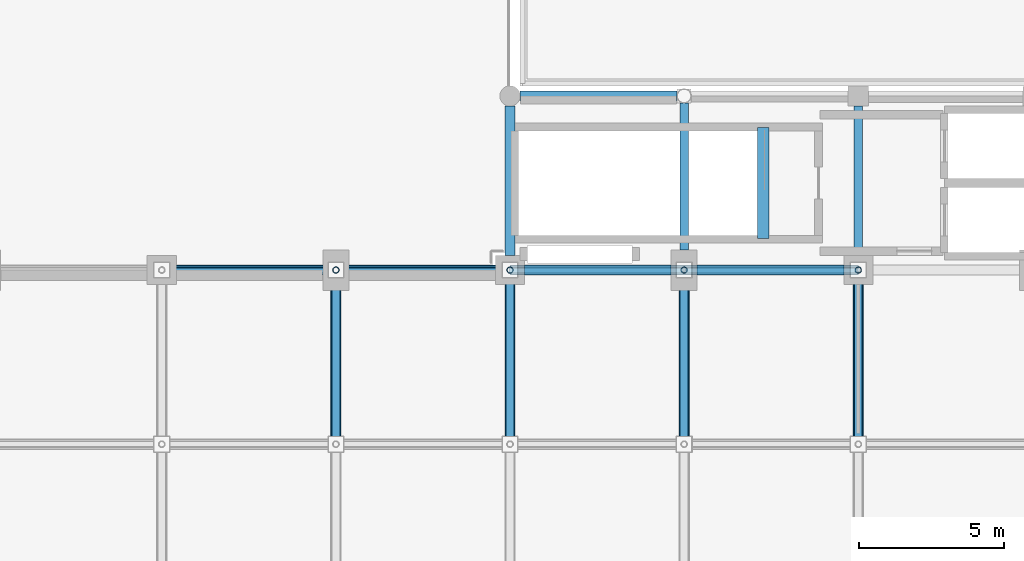
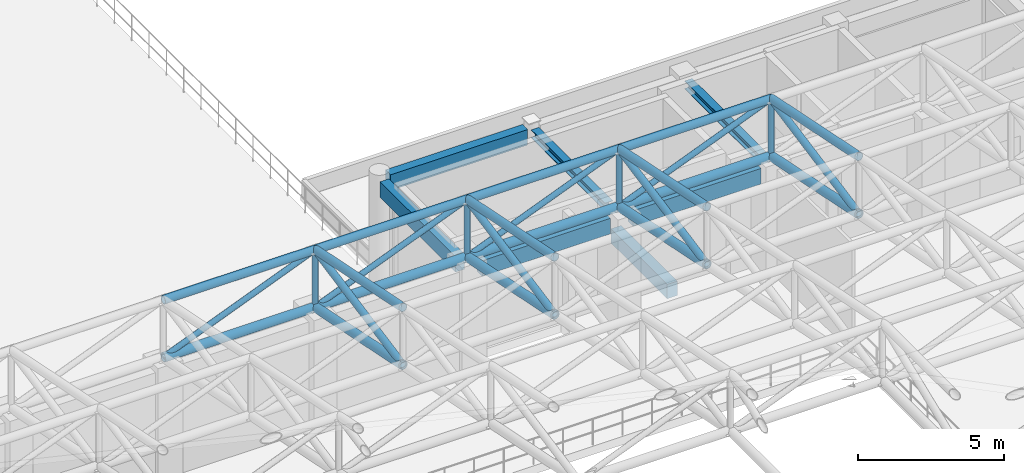
# One storey, part 34 of 112: 28 members, 7 beams.
"""IFC4 building model written with IfcOpenShell, lengths in metres."""

from ifc_helpers import new_model, si_unit, direction, frame, origin, origin_2d, place, context, subcontext, project, spatial, rectangle, hollow_circle, i_section, extrude, material, material_profile, profile_set, type_object, element, save


model = new_model("IFC4")

# Units and contexts
model_context = context("Model", 3, precision=1e-05, world=origin(), true_north=direction((0.0, 1.0)))
body_context = subcontext(model_context, "Body", "Model", "MODEL_VIEW")
ifc_project = project(units=[si_unit("LENGTHUNIT", "METRE"), si_unit("AREAUNIT", "SQUARE_METRE"), si_unit("VOLUMEUNIT", "CUBIC_METRE"), si_unit("PLANEANGLEUNIT", "RADIAN"), si_unit("MASSUNIT", "GRAM", prefix="KILO"), si_unit("THERMODYNAMICTEMPERATUREUNIT", "KELVIN"), si_unit("POWERUNIT", "WATT")], contexts=[model_context])

# Site, building, storey
site_placement = place(None, origin())
site = spatial("IfcSite", under=ifc_project, at=site_placement, CompositionType="ELEMENT")
building_placement = place(site_placement, origin())
building = spatial("IfcBuilding", under=site, at=building_placement, Name="Phaisarnlok Congress Hotel", CompositionType="ELEMENT")
storey_placement = place(building_placement, frame((0.0, 0.0, 19.800048828125)))
storey = spatial("IfcBuildingStorey", under=building, at=storey_placement, Name="L04", CompositionType="ELEMENT", Elevation=19.800048828125)

# Beams
ifc_material_1 = material(Name="Concrete C40/50", Category="concrete")
ifc_material_profile_1 = material_profile(ifc_material_1, rectangle(XDim=0.39990234375, YDim=0.60009765625, at=origin_2d()), Name="RC 400x600")
ifc_profile_set_1 = profile_set([ifc_material_profile_1], Name="Concrete C40/50")
beam_type_1 = type_object("IfcBeamType", Name="BM-RC-400x600", PredefinedType="BEAM", material=ifc_profile_set_1)
beam_1_placement = place(storey_placement, frame((50.719970703125, 85.080078125, -0.300048828125), z_axis=(0.0, 1.0, 0.0), x_axis=(-1.0, 0.0, 0.0)))
element("IfcBeam", 1, at=beam_1_placement, inside=storey, type_object=beam_type_1, Name="Stair landing header beam B-02 (CORE-5 L04)", PredefinedType="BEAM", context=body_context, shape_type="SweptSolid", body=[
    extrude(rectangle(XDim=0.39990234375, YDim=0.60009765625, at=origin_2d()), origin(), (0.0, 0.0, 1.0), 3.83984375),
])
ifc_material_2 = material(Name="Steel S355", Category="steel")
ifc_material_profile_2 = material_profile(ifc_material_2, i_section(OverallWidth=0.300048828125, OverallDepth=0.340087890625, WebThickness=0.011962890625, FlangeThickness=0.021484375, FilletRadius=0.027099609375, at=origin_2d()), Name="HEB 340")
ifc_profile_set_2 = profile_set([ifc_material_profile_2], Name="Steel S355")
beam_type_2 = type_object("IfcBeamType", Name="BM-STL-HEB340", PredefinedType="BEAM", material=ifc_profile_set_2)
beam_2_placement = place(storey_placement, frame((48.0, 84.695068359375, 4.389892578125), z_axis=(0.0, 1.0, 0.0), x_axis=(-1.0, 0.0, 0.0)))
element("IfcBeam", 2, at=beam_2_placement, inside=storey, type_object=beam_type_2, Name="Beam SB-07", PredefinedType="BEAM", context=body_context, shape_type="SweptSolid", body=[
    extrude(i_section(OverallWidth=0.300048828125, OverallDepth=0.340087890625, WebThickness=0.011962890625, FlangeThickness=0.021484375, FilletRadius=0.027099609375, at=origin_2d()), origin(), (0.0, 0.0, 1.0), 5.055908203125),
])
beam_3_placement = place(storey_placement, frame((54.0, 84.4951171875, 4.389892578125), z_axis=(0.0, 1.0, 0.0), x_axis=(-1.0, 0.0, 0.0)))
element("IfcBeam", 3, at=beam_3_placement, inside=storey, type_object=beam_type_2, Name="Beam SB-07", PredefinedType="BEAM", context=body_context, shape_type="SweptSolid", body=[
    extrude(i_section(OverallWidth=0.300048828125, OverallDepth=0.340087890625, WebThickness=0.011962890625, FlangeThickness=0.021484375, FilletRadius=0.027099609375, at=origin_2d()), origin(), (0.0, 0.0, 1.0), 5.159912109375),
])

# Members
ifc_material_profile_3 = material_profile(ifc_material_2, hollow_circle(Radius=0.109619140625, WallThickness=0.012451171875, at=origin_2d()), Name="CHS 219.1x12.5")
ifc_profile_set_3 = profile_set([ifc_material_profile_3], Name="Steel S355")
member_type_1 = type_object("IfcMemberType", Name="MEM-BRC-CHS219", PredefinedType="BRACE", material=ifc_profile_set_3)
member_1_placement = place(storey_placement, frame((30.0, 84.0, 4.800048828125), z_axis=(0.928481901832, 0.0, 0.371377648723), x_axis=(0.0, 1.0, 0.0)))
element("IfcMember", 4, at=member_1_placement, inside=storey, type_object=member_type_1, Name="Congress Hall space frame web diagonal TB-02", PredefinedType="BRACE", context=body_context, shape_type="SweptSolid", body=[
    extrude(hollow_circle(Radius=0.109619140625, WallThickness=0.012451171875, at=origin_2d()), origin(), (0.0, 0.0, 1.0), 6.462158203125),
])
member_2_placement = place(storey_placement, frame((36.0, 84.0, 4.800048828125), z_axis=(0.0, 0.0, 1.0), x_axis=(1.0, 0.0, 0.0)))
element("IfcMember", 5, at=member_2_placement, inside=storey, type_object=member_type_1, Name="Congress Hall space frame vertical brace TB-02", PredefinedType="BRACE", context=body_context, shape_type="SweptSolid", body=[
    extrude(hollow_circle(Radius=0.109619140625, WallThickness=0.012451171875, at=origin_2d()), origin(), (0.0, 0.0, 1.0), 2.39990234375),
])
member_3_placement = place(storey_placement, frame((36.0, 84.0, 4.800048828125), z_axis=(0.928481901832, 0.0, 0.371377648723), x_axis=(0.0, 1.0, 0.0)))
element("IfcMember", 6, at=member_3_placement, inside=storey, type_object=member_type_1, Name="Congress Hall space frame web diagonal TB-02", PredefinedType="BRACE", context=body_context, shape_type="SweptSolid", body=[
    extrude(hollow_circle(Radius=0.109619140625, WallThickness=0.012451171875, at=origin_2d()), origin(), (0.0, 0.0, 1.0), 6.462158203125),
])
member_4_placement = place(storey_placement, frame((42.0, 84.0, 4.800048828125), z_axis=(0.0, 0.0, 1.0), x_axis=(1.0, 0.0, 0.0)))
element("IfcMember", 7, at=member_4_placement, inside=storey, type_object=member_type_1, Name="Congress Hall space frame vertical brace TB-02", PredefinedType="BRACE", context=body_context, shape_type="SweptSolid", body=[
    extrude(hollow_circle(Radius=0.109619140625, WallThickness=0.012451171875, at=origin_2d()), origin(), (0.0, 0.0, 1.0), 2.39990234375),
])
member_5_placement = place(storey_placement, frame((42.0, 84.0, 4.800048828125), z_axis=(0.928481901832, 0.0, 0.371377648723), x_axis=(0.0, 1.0, 0.0)))
element("IfcMember", 8, at=member_5_placement, inside=storey, type_object=member_type_1, Name="Congress Hall space frame web diagonal TB-02", PredefinedType="BRACE", context=body_context, shape_type="SweptSolid", body=[
    extrude(hollow_circle(Radius=0.109619140625, WallThickness=0.012451171875, at=origin_2d()), origin(), (0.0, 0.0, 1.0), 6.462158203125),
])
member_6_placement = place(storey_placement, frame((48.0, 84.0, 4.800048828125), z_axis=(0.0, 0.0, 1.0), x_axis=(1.0, 0.0, 0.0)))
element("IfcMember", 9, at=member_6_placement, inside=storey, type_object=member_type_1, Name="Congress Hall space frame vertical brace TB-02", PredefinedType="BRACE", context=body_context, shape_type="SweptSolid", body=[
    extrude(hollow_circle(Radius=0.109619140625, WallThickness=0.012451171875, at=origin_2d()), origin(), (0.0, 0.0, 1.0), 2.39990234375),
])
member_7_placement = place(storey_placement, frame((48.0, 84.0, 4.800048828125), z_axis=(0.928481901832, 0.0, 0.371377648723), x_axis=(0.0, 1.0, 0.0)))
element("IfcMember", 10, at=member_7_placement, inside=storey, type_object=member_type_1, Name="Congress Hall space frame web diagonal TB-02", PredefinedType="BRACE", context=body_context, shape_type="SweptSolid", body=[
    extrude(hollow_circle(Radius=0.109619140625, WallThickness=0.012451171875, at=origin_2d()), origin(), (0.0, 0.0, 1.0), 6.462158203125),
])
member_8_placement = place(storey_placement, frame((54.0, 84.0, 4.800048828125), z_axis=(0.0, 0.0, 1.0), x_axis=(1.0, 0.0, 0.0)))
element("IfcMember", 11, at=member_8_placement, inside=storey, type_object=member_type_1, Name="Congress Hall space frame vertical brace TB-02", PredefinedType="BRACE", context=body_context, shape_type="SweptSolid", body=[
    extrude(hollow_circle(Radius=0.109619140625, WallThickness=0.012451171875, at=origin_2d()), origin(), (0.0, 0.0, 1.0), 2.39990234375),
])
ifc_material_profile_4 = material_profile(ifc_material_2, hollow_circle(Radius=0.136474609375, WallThickness=0.01611328125, at=origin_2d()), Name="CHS 273x16")
ifc_profile_set_4 = profile_set([ifc_material_profile_4], Name="Steel S355")
member_type_2 = type_object("IfcMemberType", Name="MEM-BRC-CHS273", PredefinedType="BRACE", material=ifc_profile_set_4)
for number, where, z_axis, x_axis, name in (
    (12, (36.0, 78.0, 6.020751953125), (0.0, 0.981229397887, 0.192844156567), (-1.0, 0.0, 0.0), "Congress Hall space frame raking brace TB-03"),
    (13, (42.0, 78.0, 6.020751953125), (0.0, 0.981229397887, 0.192844156567), (-1.0, 0.0, 0.0), "Congress Hall space frame raking brace TB-03"),
    (14, (48.0, 78.0, 6.020751953125), (0.0, 0.981229397887, 0.192844156567), (-1.0, 0.0, 0.0), "Congress Hall space frame raking brace TB-03"),
    (15, (54.0, 78.0, 6.020751953125), (0.0, 0.981229397887, 0.192844156567), (-1.0, 0.0, 0.0), "Congress Hall space frame raking brace TB-03"),
):
    element("IfcMember", number, at=place(storey_placement, frame(where, z_axis=z_axis, x_axis=x_axis)), inside=storey, type_object=member_type_2, Name=name, PredefinedType="BRACE", context=body_context, shape_type="SweptSolid", body=[
        extrude(hollow_circle(Radius=0.136474609375, WallThickness=0.01611328125, at=origin_2d()), origin(), (0.0, 0.0, 1.0), 6.11474609375),
    ])
ifc_material_profile_5 = material_profile(ifc_material_2, hollow_circle(Radius=0.161865234375, WallThickness=0.01611328125, at=origin_2d()), Name="CHS 323.9x16")
ifc_profile_set_5 = profile_set([ifc_material_profile_5], Name="Steel S355")
member_type_3 = type_object("IfcMemberType", Name="MEM-CHD-CHS324", PredefinedType="CHORD", material=ifc_profile_set_5)
member_9_placement = place(storey_placement, frame((30.0, 84.0, 7.199951171875), z_axis=(1.0, 0.0, 0.0), x_axis=(0.0, 1.0, 0.0)))
element("IfcMember", 16, at=member_9_placement, inside=storey, type_object=member_type_3, Name="Congress Hall space frame top chord TC-02", PredefinedType="CHORD", context=body_context, shape_type="SweptSolid", body=[
    extrude(hollow_circle(Radius=0.161865234375, WallThickness=0.01611328125, at=origin_2d()), origin(), (0.0, 0.0, 1.0), 6.0),
])
member_10_placement = place(storey_placement, frame((36.0, 78.0, 8.420654296875), z_axis=(0.0, 0.979925045119, -0.199366260807), x_axis=(-1.0, 0.0, 0.0)))
element("IfcMember", 17, at=member_10_placement, inside=storey, type_object=member_type_3, Name="Congress Hall space frame top chord TC-02", PredefinedType="CHORD", context=body_context, shape_type="SweptSolid", body=[
    extrude(hollow_circle(Radius=0.161865234375, WallThickness=0.01611328125, at=origin_2d()), origin(), (0.0, 0.0, 1.0), 6.122802734375),
])
member_11_placement = place(storey_placement, frame((36.0, 84.0, 7.199951171875), z_axis=(1.0, 0.0, 0.0), x_axis=(0.0, 1.0, 0.0)))
element("IfcMember", 18, at=member_11_placement, inside=storey, type_object=member_type_3, Name="Congress Hall space frame top chord TC-02", PredefinedType="CHORD", context=body_context, shape_type="SweptSolid", body=[
    extrude(hollow_circle(Radius=0.161865234375, WallThickness=0.01611328125, at=origin_2d()), origin(), (0.0, 0.0, 1.0), 6.0),
])
member_12_placement = place(storey_placement, frame((42.0, 78.0, 8.420654296875), z_axis=(0.0, 0.979925045119, -0.199366260807), x_axis=(-1.0, 0.0, 0.0)))
element("IfcMember", 19, at=member_12_placement, inside=storey, type_object=member_type_3, Name="Congress Hall space frame top chord TC-02", PredefinedType="CHORD", context=body_context, shape_type="SweptSolid", body=[
    extrude(hollow_circle(Radius=0.161865234375, WallThickness=0.01611328125, at=origin_2d()), origin(), (0.0, 0.0, 1.0), 6.122802734375),
])
member_13_placement = place(storey_placement, frame((42.0, 84.0, 7.199951171875), z_axis=(1.0, 0.0, 0.0), x_axis=(0.0, 1.0, 0.0)))
element("IfcMember", 20, at=member_13_placement, inside=storey, type_object=member_type_3, Name="Congress Hall space frame top chord TC-02", PredefinedType="CHORD", context=body_context, shape_type="SweptSolid", body=[
    extrude(hollow_circle(Radius=0.161865234375, WallThickness=0.01611328125, at=origin_2d()), origin(), (0.0, 0.0, 1.0), 6.0),
])
member_14_placement = place(storey_placement, frame((48.0, 78.0, 8.420654296875), z_axis=(0.0, 0.979925045119, -0.199366260807), x_axis=(-1.0, 0.0, 0.0)))
element("IfcMember", 21, at=member_14_placement, inside=storey, type_object=member_type_3, Name="Congress Hall space frame top chord TC-02", PredefinedType="CHORD", context=body_context, shape_type="SweptSolid", body=[
    extrude(hollow_circle(Radius=0.161865234375, WallThickness=0.01611328125, at=origin_2d()), origin(), (0.0, 0.0, 1.0), 6.122802734375),
])
member_15_placement = place(storey_placement, frame((48.0, 84.0, 7.199951171875), z_axis=(1.0, 0.0, 0.0), x_axis=(0.0, 1.0, 0.0)))
element("IfcMember", 22, at=member_15_placement, inside=storey, type_object=member_type_3, Name="Congress Hall space frame top chord TC-02", PredefinedType="CHORD", context=body_context, shape_type="SweptSolid", body=[
    extrude(hollow_circle(Radius=0.161865234375, WallThickness=0.01611328125, at=origin_2d()), origin(), (0.0, 0.0, 1.0), 6.0),
])
member_16_placement = place(storey_placement, frame((54.0, 78.0, 8.420654296875), z_axis=(0.0, 0.979925045119, -0.199366260807), x_axis=(-1.0, 0.0, 0.0)))
element("IfcMember", 23, at=member_16_placement, inside=storey, type_object=member_type_3, Name="Congress Hall space frame top chord TC-02", PredefinedType="CHORD", context=body_context, shape_type="SweptSolid", body=[
    extrude(hollow_circle(Radius=0.161865234375, WallThickness=0.01611328125, at=origin_2d()), origin(), (0.0, 0.0, 1.0), 6.122802734375),
])
ifc_material_profile_6 = material_profile(ifc_material_2, hollow_circle(Radius=0.177734375, WallThickness=0.02001953125, at=origin_2d()), Name="CHS 355.6x20")
ifc_profile_set_6 = profile_set([ifc_material_profile_6], Name="Steel S355")
member_type_4 = type_object("IfcMemberType", Name="MEM-CHD-CHS356", PredefinedType="CHORD", material=ifc_profile_set_6)
member_17_placement = place(storey_placement, frame((30.0, 84.0, 4.800048828125), z_axis=(1.0, 0.0, 0.0), x_axis=(0.0, 1.0, 0.0)))
element("IfcMember", 24, at=member_17_placement, inside=storey, type_object=member_type_4, Name="Congress Hall space frame bottom chord TC-01", PredefinedType="CHORD", context=body_context, shape_type="SweptSolid", body=[
    extrude(hollow_circle(Radius=0.177734375, WallThickness=0.02001953125, at=origin_2d()), origin(), (0.0, 0.0, 1.0), 6.0),
])
member_18_placement = place(storey_placement, frame((36.0, 78.0, 6.020751953125), z_axis=(0.0, 0.979925045119, -0.199366260807), x_axis=(-1.0, 0.0, 0.0)))
element("IfcMember", 25, at=member_18_placement, inside=storey, type_object=member_type_4, Name="Congress Hall space frame bottom chord TC-01", PredefinedType="CHORD", context=body_context, shape_type="SweptSolid", body=[
    extrude(hollow_circle(Radius=0.177734375, WallThickness=0.02001953125, at=origin_2d()), origin(), (0.0, 0.0, 1.0), 6.122802734375),
])
member_19_placement = place(storey_placement, frame((36.0, 84.0, 4.800048828125), z_axis=(1.0, 0.0, 0.0), x_axis=(0.0, 1.0, 0.0)))
element("IfcMember", 26, at=member_19_placement, inside=storey, type_object=member_type_4, Name="Congress Hall space frame bottom chord TC-01", PredefinedType="CHORD", context=body_context, shape_type="SweptSolid", body=[
    extrude(hollow_circle(Radius=0.177734375, WallThickness=0.02001953125, at=origin_2d()), origin(), (0.0, 0.0, 1.0), 6.0),
])
member_20_placement = place(storey_placement, frame((42.0, 78.0, 6.020751953125), z_axis=(0.0, 0.979925045119, -0.199366260807), x_axis=(-1.0, 0.0, 0.0)))
element("IfcMember", 27, at=member_20_placement, inside=storey, type_object=member_type_4, Name="Congress Hall space frame bottom chord TC-01", PredefinedType="CHORD", context=body_context, shape_type="SweptSolid", body=[
    extrude(hollow_circle(Radius=0.177734375, WallThickness=0.02001953125, at=origin_2d()), origin(), (0.0, 0.0, 1.0), 6.122802734375),
])
member_21_placement = place(storey_placement, frame((42.0, 84.0, 4.800048828125), z_axis=(1.0, 0.0, 0.0), x_axis=(0.0, 1.0, 0.0)))
element("IfcMember", 28, at=member_21_placement, inside=storey, type_object=member_type_4, Name="Congress Hall space frame bottom chord TC-01", PredefinedType="CHORD", context=body_context, shape_type="SweptSolid", body=[
    extrude(hollow_circle(Radius=0.177734375, WallThickness=0.02001953125, at=origin_2d()), origin(), (0.0, 0.0, 1.0), 6.0),
])
member_22_placement = place(storey_placement, frame((48.0, 78.0, 6.020751953125), z_axis=(0.0, 0.979925045119, -0.199366260807), x_axis=(-1.0, 0.0, 0.0)))
element("IfcMember", 29, at=member_22_placement, inside=storey, type_object=member_type_4, Name="Congress Hall space frame bottom chord TC-01", PredefinedType="CHORD", context=body_context, shape_type="SweptSolid", body=[
    extrude(hollow_circle(Radius=0.177734375, WallThickness=0.02001953125, at=origin_2d()), origin(), (0.0, 0.0, 1.0), 6.122802734375),
])
member_23_placement = place(storey_placement, frame((48.0, 84.0, 4.800048828125), z_axis=(1.0, 0.0, 0.0), x_axis=(0.0, 1.0, 0.0)))
element("IfcMember", 30, at=member_23_placement, inside=storey, type_object=member_type_4, Name="Congress Hall space frame bottom chord TC-01", PredefinedType="CHORD", context=body_context, shape_type="SweptSolid", body=[
    extrude(hollow_circle(Radius=0.177734375, WallThickness=0.02001953125, at=origin_2d()), origin(), (0.0, 0.0, 1.0), 6.0),
])
member_24_placement = place(storey_placement, frame((54.0, 78.0, 6.020751953125), z_axis=(0.0, 0.979925045119, -0.199366260807), x_axis=(-1.0, 0.0, 0.0)))
element("IfcMember", 31, at=member_24_placement, inside=storey, type_object=member_type_4, Name="Congress Hall space frame bottom chord TC-01", PredefinedType="CHORD", context=body_context, shape_type="SweptSolid", body=[
    extrude(hollow_circle(Radius=0.177734375, WallThickness=0.02001953125, at=origin_2d()), origin(), (0.0, 0.0, 1.0), 6.122802734375),
])

# Beams
ifc_material_profile_7 = material_profile(ifc_material_1, rectangle(XDim=0.35009765625, YDim=0.64990234375, at=origin_2d()), Name="RC 350x650")
ifc_profile_set_7 = profile_set([ifc_material_profile_7], Name="Concrete C40/50")
beam_type_3 = type_object("IfcBeamType", Name="SP-RC-350x650", PredefinedType="SPANDREL", material=ifc_profile_set_7)
beam_4_placement = place(storey_placement, frame((42.4951171875, 84.0, 4.23486328125), z_axis=(1.0, 0.0, 0.0), x_axis=(0.0, 1.0, 0.0)))
element("IfcBeam", 32, at=beam_4_placement, inside=storey, type_object=beam_type_3, Name="Beam SP-01", PredefinedType="SPANDREL", context=body_context, shape_type="SweptSolid", body=[
    extrude(rectangle(XDim=0.35009765625, YDim=0.64990234375, at=origin_2d()), origin(), (0.0, 0.0, 1.0), 5.059814453125),
])
beam_5_placement = place(storey_placement, frame((42.0, 84.4951171875, 4.23486328125), z_axis=(0.0, 1.0, 0.0), x_axis=(-1.0, 0.0, 0.0)))
element("IfcBeam", 33, at=beam_5_placement, inside=storey, type_object=beam_type_3, Name="Beam SP-01", PredefinedType="SPANDREL", context=body_context, shape_type="SweptSolid", body=[
    extrude(rectangle(XDim=0.35009765625, YDim=0.64990234375, at=origin_2d()), origin(), (0.0, 0.0, 1.0), 5.159912109375),
])
beam_6_placement = place(storey_placement, frame((42.344970703125, 90.0, 4.23486328125), z_axis=(1.0, 0.0, 0.0), x_axis=(0.0, 1.0, 0.0)))
element("IfcBeam", 34, at=beam_6_placement, inside=storey, type_object=beam_type_3, Name="Beam SP-01", PredefinedType="SPANDREL", context=body_context, shape_type="SweptSolid", body=[
    extrude(rectangle(XDim=0.35009765625, YDim=0.64990234375, at=origin_2d()), origin(), (0.0, 0.0, 1.0), 5.406005859375),
])
beam_7_placement = place(storey_placement, frame((48.445068359375, 84.0, 4.23486328125), z_axis=(1.0, 0.0, 0.0), x_axis=(0.0, 1.0, 0.0)))
element("IfcBeam", 35, at=beam_7_placement, inside=storey, type_object=beam_type_3, Name="Beam SP-01", PredefinedType="SPANDREL", context=body_context, shape_type="SweptSolid", body=[
    extrude(rectangle(XDim=0.35009765625, YDim=0.64990234375, at=origin_2d()), origin(), (0.0, 0.0, 1.0), 5.059814453125),
])

save(model, "model.ifc")
